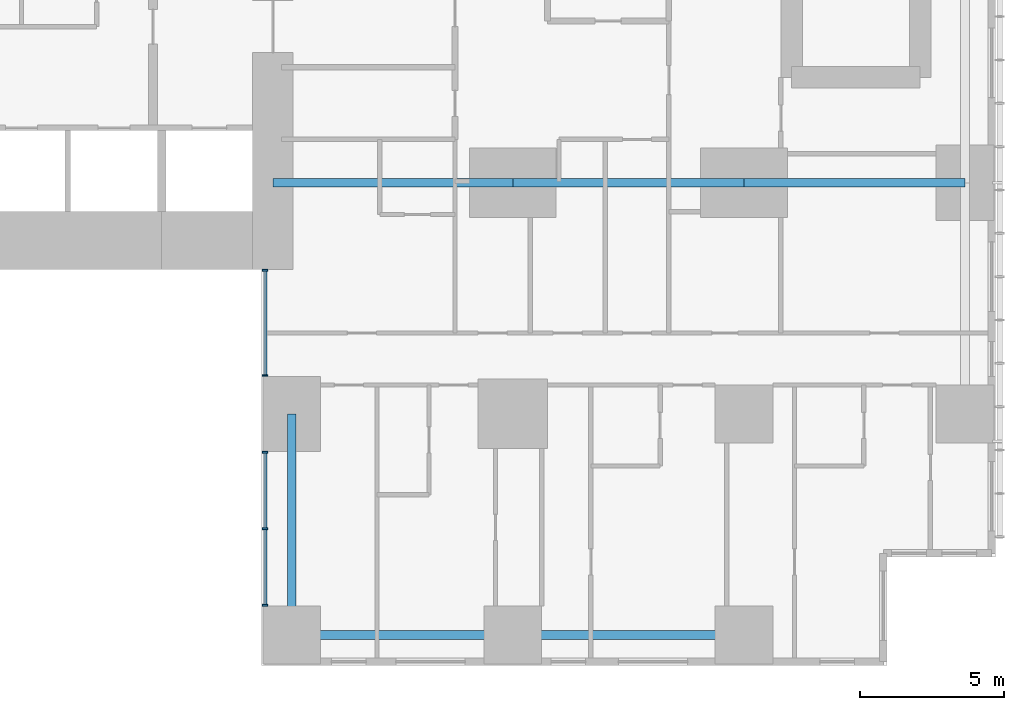
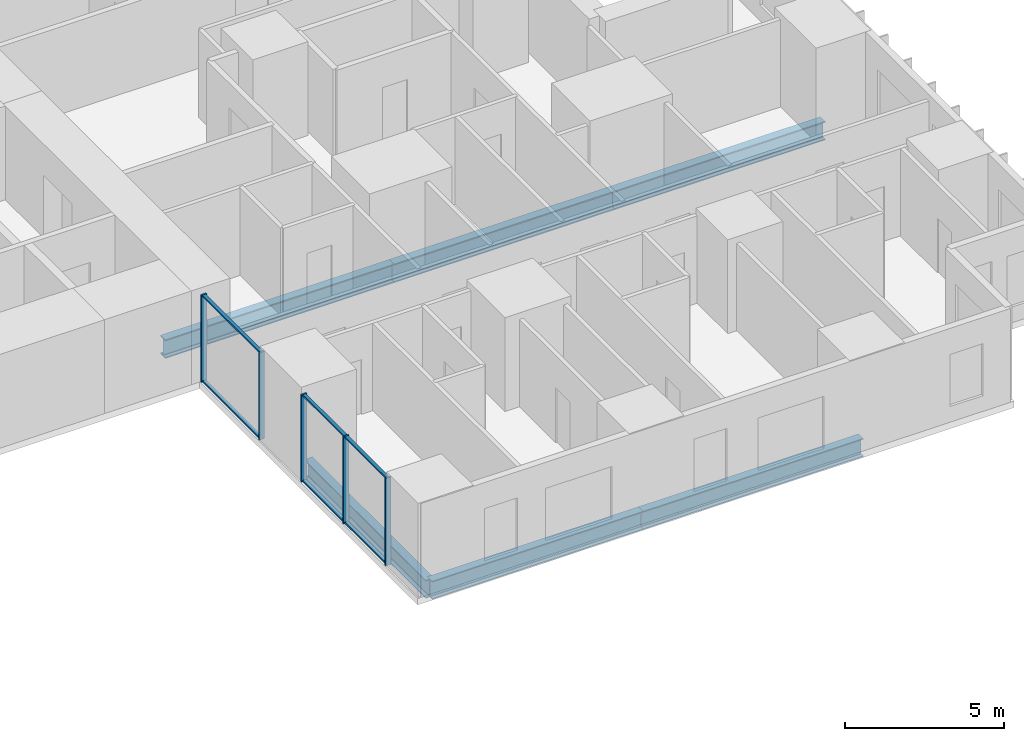
# One storey, part 3 of 20: 11 members, 6 beams, 2 elements without a shape of their own.
"""IFC4 building model written with IfcOpenShell, lengths in metres."""

from ifc_helpers import new_model, si_unit, direction, frame, origin, origin_2d, place, context, subcontext, project, spatial, rectangle, i_section, extrude, material, layer, layer_set, material_profile, profile_set, type_object, element, aggregate, save


model = new_model("IFC4")

# Units and contexts
model_context = context("Model", 3, precision=1e-05, world=origin(), true_north=direction((0.0, 1.0)))
body_context = subcontext(model_context, "Body", "Model", "MODEL_VIEW")
ifc_project = project(units=[si_unit("LENGTHUNIT", "METRE"), si_unit("AREAUNIT", "SQUARE_METRE"), si_unit("VOLUMEUNIT", "CUBIC_METRE"), si_unit("PLANEANGLEUNIT", "RADIAN"), si_unit("MASSUNIT", "GRAM", prefix="KILO")], contexts=[model_context])

# Site, building, storey
site_placement = place(None, origin())
site = spatial("IfcSite", under=ifc_project, at=site_placement, CompositionType="ELEMENT")
building_placement = place(site_placement, origin())
building = spatial("IfcBuilding", under=site, at=building_placement, Name="Cleftline Residences", CompositionType="ELEMENT")
storey_placement = place(building_placement, frame((0.0, 0.0, 51.199951171875)))
storey = spatial("IfcBuildingStorey", under=building, at=storey_placement, Name="L12", CompositionType="ELEMENT", Elevation=51.199951171875)

# Beams
ifc_material_1 = material(Name="Steel S355", Category="steel")
ifc_material_profile_1 = material_profile(ifc_material_1, i_section(OverallWidth=0.300048828125, OverallDepth=0.699951171875, WebThickness=0.01708984375, FlangeThickness=0.031982421875, FilletRadius=0.027099609375, at=origin_2d()))
ifc_profile_set_1 = profile_set([ifc_material_profile_1], Name="Steel S355")
beam_type_1 = type_object("IfcBeamType", Name="BEAM HEB 700", PredefinedType="BEAM", material=ifc_profile_set_1)
beam_1_placement = place(storey_placement, frame((58.0, 0.35009765625, -0.599853515625), z_axis=(-1.0, 0.0, 0.0), x_axis=(0.0, -1.0, 0.0)))
element("IfcBeam", 1, at=beam_1_placement, inside=storey, type_object=beam_type_1, Name="Edge beam", PredefinedType="BEAM", context=body_context, shape_type="SweptSolid", body=[
    extrude(i_section(OverallWidth=0.300048828125, OverallDepth=0.699951171875, WebThickness=0.01708984375, FlangeThickness=0.031982421875, FilletRadius=0.027099609375, at=origin_2d()), origin(), (0.0, 0.0, 1.0), 8.0),
])
for number, where, z_axis, x_axis, name in (
    (2, (50.0, 0.35009765625, -0.599853515625), (-1.0, 0.0, 0.0), (0.0, -1.0, 0.0), "Edge beam"),
    (3, (42.35009765625, 0.35009765625, -0.599853515625), (0.0, 1.0, 0.0), (-1.0, 0.0, 0.0), "Edge beam"),
):
    element("IfcBeam", number, at=place(storey_placement, frame(where, z_axis=z_axis, x_axis=x_axis)), inside=storey, type_object=beam_type_1, Name=name, PredefinedType="BEAM", context=body_context, shape_type="SweptSolid", body=[
        extrude(i_section(OverallWidth=0.300048828125, OverallDepth=0.699951171875, WebThickness=0.01708984375, FlangeThickness=0.031982421875, FilletRadius=0.027099609375, at=origin_2d()), origin(), (0.0, 0.0, 1.0), 7.64990234375),
    ])
ifc_material_2 = material(Name="Steel S355", Category="steel")
ifc_material_profile_2 = material_profile(ifc_material_2, i_section(OverallWidth=0.303955078125, OverallDepth=0.716064453125, WebThickness=0.02099609375, FlangeThickness=0.0400390625, FilletRadius=0.027099609375, at=origin_2d()))
ifc_profile_set_2 = profile_set([ifc_material_profile_2], Name="Steel S355")
beam_type_2 = type_object("IfcBeamType", Name="BEAM HEM 700", PredefinedType="BEAM", material=ifc_profile_set_2)
beam_2_placement = place(storey_placement, frame((65.64990234375, 16.0, -0.60791015625), z_axis=(-1.0, 0.0, 0.0), x_axis=(0.0, -1.0, 0.0)))
element("IfcBeam", 4, at=beam_2_placement, inside=storey, type_object=beam_type_2, Name="Band beam", PredefinedType="BEAM", context=body_context, shape_type="SweptSolid", body=[
    extrude(i_section(OverallWidth=0.303955078125, OverallDepth=0.716064453125, WebThickness=0.02099609375, FlangeThickness=0.0400390625, FilletRadius=0.027099609375, at=origin_2d()), origin(), (0.0, 0.0, 1.0), 7.64990234375),
])
beam_3_placement = place(storey_placement, frame((58.0, 16.0, -0.60791015625), z_axis=(-1.0, 0.0, 0.0), x_axis=(0.0, -1.0, 0.0)))
element("IfcBeam", 5, at=beam_3_placement, inside=storey, type_object=beam_type_2, Name="Band beam", PredefinedType="BEAM", context=body_context, shape_type="SweptSolid", body=[
    extrude(i_section(OverallWidth=0.303955078125, OverallDepth=0.716064453125, WebThickness=0.02099609375, FlangeThickness=0.0400390625, FilletRadius=0.027099609375, at=origin_2d()), origin(), (0.0, 0.0, 1.0), 8.0),
])
beam_4_placement = place(storey_placement, frame((50.0, 16.0, -0.60791015625), z_axis=(-1.0, 0.0, 0.0), x_axis=(0.0, -1.0, 0.0)))
element("IfcBeam", 6, at=beam_4_placement, inside=storey, type_object=beam_type_2, Name="Band beam", PredefinedType="BEAM", context=body_context, shape_type="SweptSolid", body=[
    extrude(i_section(OverallWidth=0.303955078125, OverallDepth=0.716064453125, WebThickness=0.02099609375, FlangeThickness=0.0400390625, FilletRadius=0.027099609375, at=origin_2d()), origin(), (0.0, 0.0, 1.0), 8.300048828125),
])

# Curtain wall, members
ifc_material_3 = material(Name="Aluminium framed curtain wall", Category="aluminium")
ifc_layer = layer(ifc_material_3, 0.199951171875)
ifc_layer_set = layer_set([ifc_layer], Name="CW1 CLEFT GLAZING")
curtain_wall_type = type_object("IfcCurtainWallType", Name="CW1 CLEFT GLAZING", PredefinedType="NOTDEFINED", material=ifc_layer_set)
curtain_wall_1_placement = place(storey_placement, origin())
curtain_wall_1 = element("IfcCurtainWall", 7, at=curtain_wall_1_placement, inside=storey, type_object=curtain_wall_type, Name="Curtain wall CW1", PredefinedType="NOTDEFINED")
ifc_material_4 = material(Name="Aluminium mullion", Category="aluminium")
ifc_material_profile_3 = material_profile(ifc_material_4, rectangle(XDim=0.199951171875, YDim=0.06005859375, at=origin_2d()))
ifc_profile_set_3 = profile_set([ifc_material_profile_3], Name="Aluminium mullion")
member_type_1 = type_object("IfcMemberType", Name="CW1 MULLION", PredefinedType="MULLION", material=ifc_profile_set_3)
member_1_placement = place(storey_placement, frame((41.425048828125, 12.969970703125, 0.0), z_axis=(0.0, 0.0, 1.0), x_axis=(1.0, 0.0, 0.0)))
member_1 = element("IfcMember", 8, at=member_1_placement, type_object=member_type_1, Name="CW1 mullion 1", PredefinedType="MULLION", context=body_context, shape_type="SweptSolid", body=[
    extrude(rectangle(XDim=0.199951171875, YDim=0.06005859375, at=origin_2d()), origin(), (0.0, 0.0, 1.0), 3.35009765625),
])
member_2_placement = place(storey_placement, frame((41.425048828125, 9.330078125, 0.0), z_axis=(0.0, 0.0, 1.0), x_axis=(1.0, 0.0, 0.0)))
member_2 = element("IfcMember", 9, at=member_2_placement, type_object=member_type_1, Name="CW1 mullion 2", PredefinedType="MULLION", context=body_context, shape_type="SweptSolid", body=[
    extrude(rectangle(XDim=0.199951171875, YDim=0.06005859375, at=origin_2d()), origin(), (0.0, 0.0, 1.0), 3.35009765625),
])

curtain_wall_2_placement = place(storey_placement, origin())
curtain_wall_2 = element("IfcCurtainWall", 10, at=curtain_wall_2_placement, inside=storey, type_object=curtain_wall_type, Name="Curtain wall CW1", PredefinedType="NOTDEFINED")
member_3_placement = place(storey_placement, frame((41.425048828125, 6.669921875, 0.0), z_axis=(0.0, 0.0, 1.0), x_axis=(1.0, 0.0, 0.0)))
member_3 = element("IfcMember", 11, at=member_3_placement, type_object=member_type_1, Name="CW1 mullion 1", PredefinedType="MULLION", context=body_context, shape_type="SweptSolid", body=[
    extrude(rectangle(XDim=0.199951171875, YDim=0.06005859375, at=origin_2d()), origin(), (0.0, 0.0, 1.0), 3.35009765625),
])
member_4_placement = place(storey_placement, frame((41.425048828125, 4.02490234375, 0.0), z_axis=(0.0, 0.0, 1.0), x_axis=(1.0, 0.0, 0.0)))
member_4 = element("IfcMember", 12, at=member_4_placement, type_object=member_type_1, Name="CW1 mullion 2", PredefinedType="MULLION", context=body_context, shape_type="SweptSolid", body=[
    extrude(rectangle(XDim=0.199951171875, YDim=0.06005859375, at=origin_2d()), origin(), (0.0, 0.0, 1.0), 3.35009765625),
])
member_5_placement = place(storey_placement, frame((41.425048828125, 1.3798828125, 0.0), z_axis=(0.0, 0.0, 1.0), x_axis=(1.0, 0.0, 0.0)))
member_5 = element("IfcMember", 13, at=member_5_placement, type_object=member_type_1, Name="CW1 mullion 3", PredefinedType="MULLION", context=body_context, shape_type="SweptSolid", body=[
    extrude(rectangle(XDim=0.199951171875, YDim=0.06005859375, at=origin_2d()), origin(), (0.0, 0.0, 1.0), 3.35009765625),
])

# Member
ifc_material_5 = material(Name="Aluminium transom", Category="aluminium")
ifc_material_profile_4 = material_profile(ifc_material_5, rectangle(XDim=0.1201171875, YDim=0.06005859375, at=origin_2d()))
ifc_profile_set_4 = profile_set([ifc_material_profile_4], Name="Aluminium transom")
member_type_2 = type_object("IfcMemberType", Name="CW1 TRANSOM", PredefinedType="USERDEFINED", material=ifc_profile_set_4)
member_6_placement = place(storey_placement, frame((41.425048828125, 12.93994140625, 0.030029296875), z_axis=(0.0, -1.0, 0.0), x_axis=(1.0, 0.0, 0.0)))
member_6 = element("IfcMember", 14, at=member_6_placement, type_object=member_type_2, Name="CW1 transom 1.1", ObjectType="TRANSOM", PredefinedType="USERDEFINED", context=body_context, shape_type="SweptSolid", body=[
    extrude(rectangle(XDim=0.1201171875, YDim=0.06005859375, at=origin_2d()), origin(), (0.0, 0.0, 1.0), 3.579833984375),
])

member_7_placement = place(storey_placement, frame((41.425048828125, 12.93994140625, 3.320068359375), z_axis=(0.0, -1.0, 0.0), x_axis=(1.0, 0.0, 0.0)))
member_7 = element("IfcMember", 15, at=member_7_placement, type_object=member_type_2, Name="CW1 transom 1.2", ObjectType="TRANSOM", PredefinedType="USERDEFINED", context=body_context, shape_type="SweptSolid", body=[
    extrude(rectangle(XDim=0.1201171875, YDim=0.06005859375, at=origin_2d()), origin(), (0.0, 0.0, 1.0), 3.579833984375),
])

aggregate(curtain_wall_1, [member_1, member_2, member_6, member_7])

member_8_placement = place(storey_placement, frame((41.425048828125, 6.639892578125, 0.030029296875), z_axis=(0.0, -1.0, 0.0), x_axis=(1.0, 0.0, 0.0)))
member_8 = element("IfcMember", 16, at=member_8_placement, type_object=member_type_2, Name="CW1 transom 1.1", ObjectType="TRANSOM", PredefinedType="USERDEFINED", context=body_context, shape_type="SweptSolid", body=[
    extrude(rectangle(XDim=0.1201171875, YDim=0.06005859375, at=origin_2d()), origin(), (0.0, 0.0, 1.0), 2.5849609375),
])

member_9_placement = place(storey_placement, frame((41.425048828125, 6.639892578125, 3.320068359375), z_axis=(0.0, -1.0, 0.0), x_axis=(1.0, 0.0, 0.0)))
member_9 = element("IfcMember", 17, at=member_9_placement, type_object=member_type_2, Name="CW1 transom 1.2", ObjectType="TRANSOM", PredefinedType="USERDEFINED", context=body_context, shape_type="SweptSolid", body=[
    extrude(rectangle(XDim=0.1201171875, YDim=0.06005859375, at=origin_2d()), origin(), (0.0, 0.0, 1.0), 2.5849609375),
])

member_10_placement = place(storey_placement, frame((41.425048828125, 3.9951171875, 0.030029296875), z_axis=(0.0, -1.0, 0.0), x_axis=(1.0, 0.0, 0.0)))
member_10 = element("IfcMember", 18, at=member_10_placement, type_object=member_type_2, Name="CW1 transom 2.1", ObjectType="TRANSOM", PredefinedType="USERDEFINED", context=body_context, shape_type="SweptSolid", body=[
    extrude(rectangle(XDim=0.1201171875, YDim=0.06005859375, at=origin_2d()), origin(), (0.0, 0.0, 1.0), 2.585205078125),
])

member_11_placement = place(storey_placement, frame((41.425048828125, 3.9951171875, 3.320068359375), z_axis=(0.0, -1.0, 0.0), x_axis=(1.0, 0.0, 0.0)))
member_11 = element("IfcMember", 19, at=member_11_placement, type_object=member_type_2, Name="CW1 transom 2.2", ObjectType="TRANSOM", PredefinedType="USERDEFINED", context=body_context, shape_type="SweptSolid", body=[
    extrude(rectangle(XDim=0.1201171875, YDim=0.06005859375, at=origin_2d()), origin(), (0.0, 0.0, 1.0), 2.585205078125),
])

aggregate(curtain_wall_2, [member_3, member_4, member_5, member_8, member_9, member_10, member_11])

save(model, "model.ifc")
